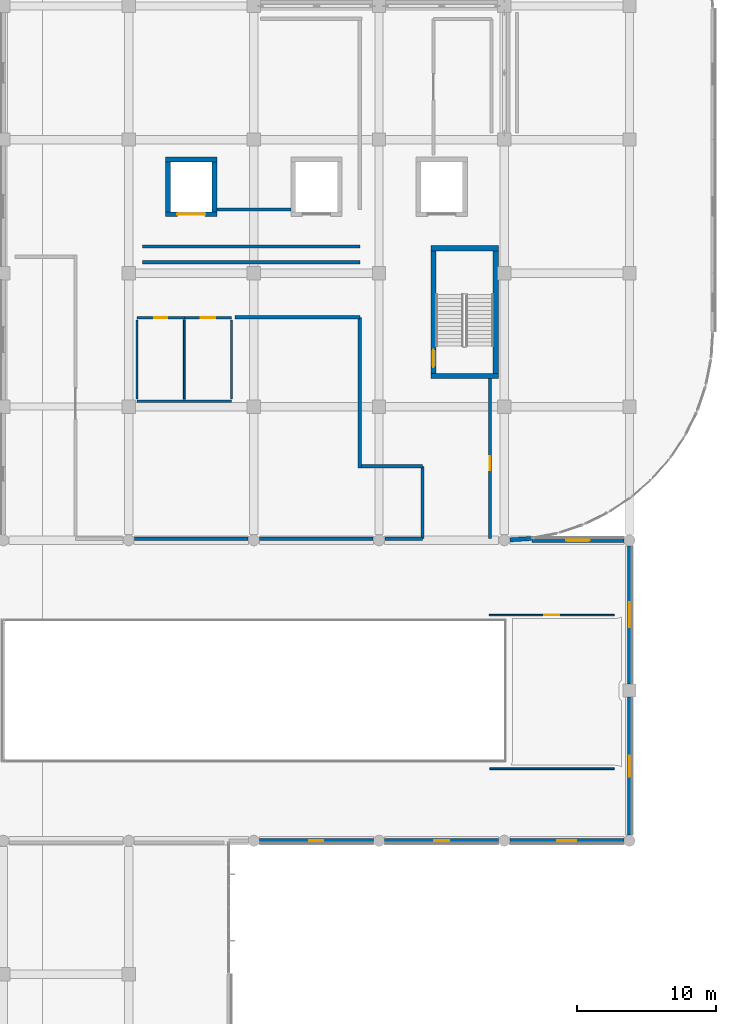
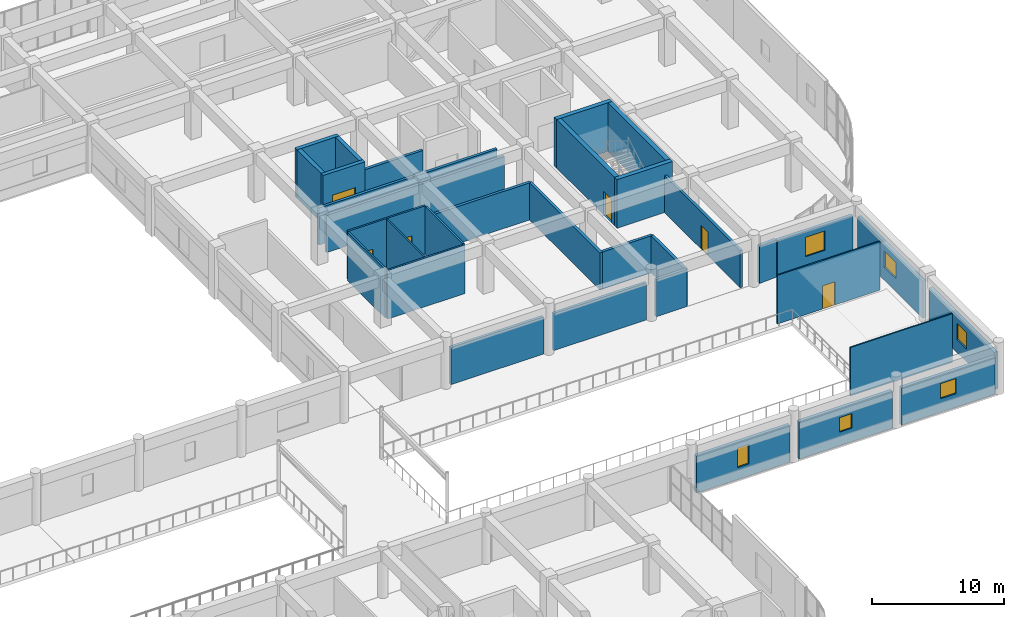
# One storey, part 60 of 86: 34 walls, 6 doors, 6 windows, 12 openings.
"""IFC4 building model written with IfcOpenShell, lengths in metres."""

from ifc_helpers import new_model, si_unit, direction, frame, frame_2d, origin, place, context, subcontext, project, spatial, rectangle, extrude, material, layer, layer_set, type_object, element, fill, save


model = new_model("IFC4")

# Units and contexts
model_context = context("Model", 3, precision=1e-05, world=origin(), true_north=direction((0.0, 1.0)))
body_context = subcontext(model_context, "Body", "Model", "MODEL_VIEW")
ifc_project = project(units=[si_unit("LENGTHUNIT", "METRE"), si_unit("AREAUNIT", "SQUARE_METRE"), si_unit("VOLUMEUNIT", "CUBIC_METRE"), si_unit("PLANEANGLEUNIT", "RADIAN"), si_unit("MASSUNIT", "GRAM", prefix="KILO")], contexts=[model_context])

# Site, building, storey
site_placement = place(None, origin())
site = spatial("IfcSite", under=ifc_project, at=site_placement, CompositionType="ELEMENT")
building_placement = place(site_placement, origin())
building = spatial("IfcBuilding", under=site, at=building_placement, Name="Cendralis Terraced Arcade", CompositionType="ELEMENT")
storey_placement = place(building_placement, frame((0.0, 0.0, 5.39990234375)))
storey = spatial("IfcBuildingStorey", under=building, at=storey_placement, Name="L01", CompositionType="ELEMENT", Elevation=5.39990234375)

# Wall, opening, door
ifc_material_1 = material(Name="Autoclaved aerated concrete blockwork", Category="masonry")
ifc_layer_1 = layer(ifc_material_1, 0.221923828125, Name="WL-ACOU-222")
ifc_layer_set_1 = layer_set([ifc_layer_1], Name="Autoclaved aerated concrete blockwork")
wall_type_1 = type_object("IfcWallType", Name="WL-ACOU-222", PredefinedType="PARTITIONING", material=ifc_layer_set_1)
wall_1_placement = place(storey_placement, frame((156.179931640625, 60.1201171875, 0.0), z_axis=(0.0, 0.0, 1.0), x_axis=(0.0, 1.0, 0.0)))
wall_1 = element("IfcWall", 1, at=wall_1_placement, inside=storey, type_object=wall_type_1, Name="Interior Partition Wall IW-L01-0426", PredefinedType="PARTITIONING", context=body_context, shape_type="SweptSolid", body=[
    extrude(rectangle(XDim=11.5, YDim=0.221923828125, at=frame_2d((5.75, 0.0))), origin(), (0.0, 0.0, 1.0), 3.445068359375),
])
opening_1_placement = place(wall_1_placement, frame((4.919921875, 0.0, 0.0)))
opening_1 = element("IfcOpeningElement", 2, at=opening_1_placement, cuts=wall_1, Name="Opening D-L01-116", PredefinedType="OPENING", context=body_context, shape_type="SweptSolid", body=[
    extrude(rectangle(XDim=1.0, YDim=2.199951171875, at=frame_2d((0.5, 1.10009765625))), frame((0.0, 0.123046875, 0.0), z_axis=(0.0, -1.0, 0.0), x_axis=(1.0, 0.0, 0.0)), (0.0, 0.0, 1.0), 0.245849609375),
])
ifc_material_2 = material(Name="Solid core Andean oak veneer door leaf", Category="aluminium")
door_type_1 = type_object("IfcDoorType", Name="ID-RM-1000x2200", OperationType="NOTDEFINED", PredefinedType="DOOR", material=ifc_material_2)
door_1_placement = place(opening_1_placement, origin())
door_1 = element("IfcDoor", 3, at=door_1_placement, inside=storey, type_object=door_type_1, Name="Buying and Store Management Offices - Logistics Door D-L01-116", OperationType="SINGLE_SWING_LEFT", OverallHeight=2.199951171875, OverallWidth=1.0, PredefinedType="DOOR", context=body_context, shape_type="SweptSolid", body=[
    extrude(rectangle(XDim=1.0, YDim=2.199951171875, at=frame_2d((0.5, 1.10009765625))), frame((0.0, 0.02490234375, 0.0), z_axis=(0.0, -1.0, 0.0), x_axis=(1.0, 0.0, 0.0)), (0.0, 0.0, 1.0), 0.050048828125),
])
fill(opening_1, door_1)

ifc_material_3 = material(Name="Concrete f'c 42 MPa", Category="concrete")
ifc_layer_2 = layer(ifc_material_3, 0.340087890625, Name="WL-CORE-340")
ifc_layer_set_2 = layer_set([ifc_layer_2], Name="Concrete f'c 42 MPa")
wall_type_2 = type_object("IfcWallType", Name="WL-CORE-340", PredefinedType="SHEAR", material=ifc_layer_set_2)
wall_2_placement = place(storey_placement, frame((132.860107421875, 83.429931640625, 0.0), z_axis=(0.0, 0.0, 1.0), x_axis=(1.0, 0.0, 0.0)))
wall_2 = element("IfcWall", 4, at=wall_2_placement, inside=storey, type_object=wall_type_2, Name="Lift GL-01 Reinforced Concrete Shaft Wall (L01)", PredefinedType="SHEAR", context=body_context, shape_type="SweptSolid", body=[
    extrude(rectangle(XDim=3.679931640625, YDim=0.340087890625, at=frame_2d((1.83984375, 0.0))), origin(), (0.0, 0.0, 1.0), 4.505126953125),
])
opening_2_placement = place(wall_2_placement, frame((0.840087890625, 0.0, 0.0)))
opening_2 = element("IfcOpeningElement", 5, at=opening_2_placement, cuts=wall_2, Name="Opening LD-GL-01-L01", PredefinedType="OPENING", context=body_context, shape_type="SweptSolid", body=[
    extrude(rectangle(XDim=2.0, YDim=2.39990234375, at=frame_2d((1.0, 1.199951171875))), frame((0.0, 0.18212890625, 0.0), z_axis=(0.0, -1.0, 0.0), x_axis=(1.0, 0.0, 0.0)), (0.0, 0.0, 1.0), 0.364013671875),
])
ifc_material_4 = material(Name="Anodised aluminium sliding door assembly", Category="aluminium")
door_type_2 = type_object("IfcDoorType", Name="ID-LD-GD-2000x2400", OperationType="DOUBLE_DOOR_SLIDING", PredefinedType="DOOR", material=ifc_material_4)
door_2_placement = place(opening_2_placement, origin())
door_2 = element("IfcDoor", 6, at=door_2_placement, inside=storey, type_object=door_type_2, Name="Lift GL-01 Sliding Landing Door (L01)", OperationType="DOUBLE_DOOR_SLIDING", OverallHeight=2.39990234375, OverallWidth=2.0, PredefinedType="DOOR", context=body_context, shape_type="SweptSolid", body=[
    extrude(rectangle(XDim=2.0, YDim=2.39990234375, at=frame_2d((1.0, 1.199951171875))), frame((0.0, 0.02490234375, 0.0), z_axis=(0.0, -1.0, 0.0), x_axis=(1.0, 0.0, 0.0)), (0.0, 0.0, 1.0), 0.050048828125),
])
fill(opening_2, door_2)

# Walls
wall_3_placement = place(storey_placement, frame((132.860107421875, 87.3701171875, 0.0), z_axis=(0.0, 0.0, 1.0), x_axis=(1.0, 0.0, 0.0)))
element("IfcWall", 7, at=wall_3_placement, inside=storey, type_object=wall_type_2, Name="Lift GL-01 Reinforced Concrete Shaft Wall (L01)", PredefinedType="SHEAR", context=body_context, shape_type="SweptSolid", body=[
    extrude(rectangle(XDim=3.679931640625, YDim=0.340087890625, at=frame_2d((1.83984375, 0.0))), origin(), (0.0, 0.0, 1.0), 4.505126953125),
])
for number, where, z_axis, x_axis, name in (
    (8, (133.030029296875, 83.60009765625, 0.0), (0.0, 0.0, 1.0), (0.0, 1.0, 0.0), "Lift GL-01 Reinforced Concrete Shaft Wall (L01)"),
    (9, (136.3701171875, 83.60009765625, 0.0), (0.0, 0.0, 1.0), (0.0, 1.0, 0.0), "Lift GL-01 Reinforced Concrete Shaft Wall (L01)"),
):
    element("IfcWall", number, at=place(storey_placement, frame(where, z_axis=z_axis, x_axis=x_axis)), inside=storey, type_object=wall_type_2, Name=name, PredefinedType="SHEAR", context=body_context, shape_type="SweptSolid", body=[
        extrude(rectangle(XDim=3.599853515625, YDim=0.340087890625, at=frame_2d((1.7998046875, 0.0))), origin(), (0.0, 0.0, 1.0), 4.505126953125),
    ])
ifc_layer_3 = layer(ifc_material_3, 0.3798828125, Name="WL-CORE-380")
ifc_layer_set_3 = layer_set([ifc_layer_3], Name="Concrete f'c 42 MPa")
wall_type_3 = type_object("IfcWallType", Name="WL-CORE-380", PredefinedType="SHEAR", material=ifc_layer_set_3)
for number, where, z_axis, x_axis, name in (
    (10, (151.919921875, 71.81005859375, 0.0), (0.0, 0.0, 1.0), (1.0, 0.0, 0.0), "Stair Core Reinforced Concrete Shear Wall SW-ST-06-L01-S"),
    (11, (151.919921875, 80.989990234375, 0.0), (0.0, 0.0, 1.0), (1.0, 0.0, 0.0), "Stair Core Reinforced Concrete Shear Wall SW-ST-06-L01-N"),
):
    element("IfcWall", number, at=place(storey_placement, frame(where, z_axis=z_axis, x_axis=x_axis)), inside=storey, type_object=wall_type_3, Name=name, PredefinedType="SHEAR", context=body_context, shape_type="SweptSolid", body=[
        extrude(rectangle(XDim=4.860107421875, YDim=0.3798828125, at=frame_2d((2.43017578125, 0.0))), origin(), (0.0, 0.0, 1.0), 4.505126953125),
    ])
wall_4_placement = place(storey_placement, frame((156.590087890625, 72.0, 0.0), z_axis=(0.0, 0.0, 1.0), x_axis=(0.0, 1.0, 0.0)))
element("IfcWall", 12, at=wall_4_placement, inside=storey, type_object=wall_type_3, Name="Stair Core Reinforced Concrete Shear Wall SW-ST-06-L01-E", PredefinedType="SHEAR", context=body_context, shape_type="SweptSolid", body=[
    extrude(rectangle(XDim=8.800048828125, YDim=0.3798828125, at=frame_2d((4.39990234375, 0.0))), origin(), (0.0, 0.0, 1.0), 4.505126953125),
])

# Wall, opening, door
wall_5_placement = place(storey_placement, frame((152.110107421875, 72.0, 0.0), z_axis=(0.0, 0.0, 1.0), x_axis=(0.0, 1.0, 0.0)))
wall_5 = element("IfcWall", 13, at=wall_5_placement, inside=storey, type_object=wall_type_3, Name="Stair Core Reinforced Concrete Shear Wall SW-ST-06-L01-W", PredefinedType="SHEAR", context=body_context, shape_type="SweptSolid", body=[
    extrude(rectangle(XDim=8.800048828125, YDim=0.3798828125, at=frame_2d((4.39990234375, 0.0))), origin(), (0.0, 0.0, 1.0), 4.505126953125),
])
opening_3_placement = place(wall_5_placement, frame((0.449951171875, 0.0, 0.0)))
opening_3 = element("IfcOpeningElement", 14, at=opening_3_placement, cuts=wall_5, Name="Opening D-ST-06-L01", PredefinedType="OPENING", context=body_context, shape_type="SweptSolid", body=[
    extrude(rectangle(XDim=1.25, YDim=2.199951171875, at=frame_2d((0.625, 1.10009765625))), frame((0.0, 0.201904296875, 0.0), z_axis=(0.0, -1.0, 0.0), x_axis=(1.0, 0.0, 0.0)), (0.0, 0.0, 1.0), 0.40380859375),
])
ifc_material_5 = material(Name="Galvanised fire-rated steel door assembly", Category="steel")
door_type_3 = type_object("IfcDoorType", Name="ID-ST-1250x2200", OperationType="NOTDEFINED", PredefinedType="DOOR", material=ifc_material_5)
door_3_placement = place(opening_3_placement, frame((1.25, 0.0, 0.0), z_axis=(0.0, 0.0, 1.0), x_axis=(-1.0, 0.0, 0.0)))
door_3 = element("IfcDoor", 15, at=door_3_placement, inside=storey, type_object=door_type_3, Name="Protected Stair ST-06 Fire Door (L01)", OperationType="SINGLE_SWING_LEFT", OverallHeight=2.199951171875, OverallWidth=1.25, PredefinedType="DOOR", context=body_context, shape_type="SweptSolid", body=[
    extrude(rectangle(XDim=1.25, YDim=2.199951171875, at=frame_2d((0.625, 1.10009765625))), frame((0.0, 0.02490234375, 0.0), z_axis=(0.0, -1.0, 0.0), x_axis=(1.0, 0.0, 0.0)), (0.0, 0.0, 1.0), 0.050048828125),
])
fill(opening_3, door_3)

# Wall
ifc_material_6 = material(Name="Precast concrete f'c 40 MPa", Category="concrete")
ifc_layer_4 = layer(ifc_material_6, 0.300048828125, Name="WL-EXT-GRC-300")
ifc_layer_set_4 = layer_set([ifc_layer_4], Name="Precast concrete f'c 40 MPa")
wall_type_4 = type_object("IfcWallType", Name="WL-EXT-GRC-300", PredefinedType="SOLIDWALL", material=ifc_layer_set_4)
wall_6_placement = place(storey_placement, frame((159.157958984375, 60.12841796875, 0.0), z_axis=(0.0, 0.0, 1.0), x_axis=(-0.997851341805, -0.065518697006, 0.0)))
element("IfcWall", 16, at=wall_6_placement, inside=storey, type_object=wall_type_4, Name="Exterior Architectural Wall EW-L01-0109", PredefinedType="SOLIDWALL", context=body_context, shape_type="SweptSolid", body=[
    extrude(rectangle(XDim=1.5390625, YDim=0.300048828125, at=frame_2d((0.76953125, 0.0))), origin(), (0.0, 0.0, 1.0), 3.445068359375),
])

# Wall, opening, window
wall_7_placement = place(storey_placement, frame((159.187744140625, 60.0, 0.0), z_axis=(0.0, 0.0, 1.0), x_axis=(1.0, 0.0, 0.0)))
wall_7 = element("IfcWall", 17, at=wall_7_placement, inside=storey, type_object=wall_type_4, Name="Exterior Architectural Wall EW-L01-0110", PredefinedType="SOLIDWALL", context=body_context, shape_type="SweptSolid", body=[
    extrude(rectangle(XDim=6.6142578125, YDim=0.300048828125, at=frame_2d((3.30712890625, 0.0))), origin(), (0.0, 0.0, 1.0), 3.445068359375),
])
opening_4_placement = place(wall_7_placement, frame((2.45703125, 0.0, 1.10009765625)))
opening_4 = element("IfcOpeningElement", 18, at=opening_4_placement, cuts=wall_7, Name="Opening W-14", PredefinedType="OPENING", context=body_context, shape_type="SweptSolid", body=[
    extrude(rectangle(XDim=1.699951171875, YDim=1.800048828125, at=frame_2d((0.85009765625, 0.89990234375))), frame((0.0, 0.162109375, 0.0), z_axis=(0.0, -1.0, 0.0), x_axis=(1.0, 0.0, 0.0)), (0.0, 0.0, 1.0), 0.323974609375),
])
ifc_material_7 = material(Name="Tempered solar control laminated glass", Category="glass")
window_type_1 = type_object("IfcWindowType", Name="WN-F2-1700x1800", PartitioningType="SINGLE_PANEL", PredefinedType="WINDOW", material=ifc_material_7)
window_1_placement = place(opening_4_placement, origin())
window_1 = element("IfcWindow", 19, at=window_1_placement, inside=storey, type_object=window_type_1, Name="Exterior Solar-Control Window WN-L01-0064", OverallHeight=1.800048828125, OverallWidth=1.699951171875, PartitioningType="SINGLE_PANEL", PredefinedType="WINDOW", context=body_context, shape_type="SweptSolid", body=[
    extrude(rectangle(XDim=1.699951171875, YDim=1.800048828125, at=frame_2d((0.85009765625, 0.89990234375))), frame((0.0, 0.030029296875, 0.0), z_axis=(0.0, -1.0, 0.0), x_axis=(1.0, 0.0, 0.0)), (0.0, 0.0, 1.0), 0.06005859375),
])
fill(opening_4, window_1)

wall_8_placement = place(storey_placement, frame((166.199951171875, 59.60205078125, 0.0), z_axis=(0.0, 0.0, 1.0), x_axis=(0.0, -1.0, 0.0)))
wall_8 = element("IfcWall", 20, at=wall_8_placement, inside=storey, type_object=wall_type_4, Name="Exterior Architectural Wall EW-L01-0111", PredefinedType="SOLIDWALL", context=body_context, shape_type="SweptSolid", body=[
    extrude(rectangle(XDim=9.928955078125, YDim=0.300048828125, at=frame_2d((4.96435546875, 0.0))), origin(), (0.0, 0.0, 1.0), 3.445068359375),
])
opening_5_placement = place(wall_8_placement, frame((4.064453125, 0.0, 1.199951171875)))
opening_5 = element("IfcOpeningElement", 21, at=opening_5_placement, cuts=wall_8, Name="Opening W-19", PredefinedType="OPENING", context=body_context, shape_type="SweptSolid", body=[
    extrude(rectangle(XDim=1.800048828125, YDim=1.5, at=frame_2d((0.89990234375, 0.75))), frame((0.0, 0.162109375, 0.0), z_axis=(0.0, -1.0, 0.0), x_axis=(1.0, 0.0, 0.0)), (0.0, 0.0, 1.0), 0.323974609375),
])
window_type_2 = type_object("IfcWindowType", Name="WN-BOH-1800x1500", PartitioningType="SINGLE_PANEL", PredefinedType="WINDOW", material=ifc_material_7)
window_2_placement = place(opening_5_placement, origin())
window_2 = element("IfcWindow", 22, at=window_2_placement, inside=storey, type_object=window_type_2, Name="Exterior Solar-Control Window WN-L01-0065", OverallHeight=1.5, OverallWidth=1.800048828125, PartitioningType="SINGLE_PANEL", PredefinedType="WINDOW", context=body_context, shape_type="SweptSolid", body=[
    extrude(rectangle(XDim=1.800048828125, YDim=1.5, at=frame_2d((0.89990234375, 0.75))), frame((0.0, 0.030029296875, 0.0), z_axis=(0.0, -1.0, 0.0), x_axis=(1.0, 0.0, 0.0)), (0.0, 0.0, 1.0), 0.06005859375),
])
fill(opening_5, window_2)

wall_9_placement = place(storey_placement, frame((166.199951171875, 48.72705078125, 0.0), z_axis=(0.0, 0.0, 1.0), x_axis=(0.0, -1.0, 0.0)))
wall_9 = element("IfcWall", 23, at=wall_9_placement, inside=storey, type_object=wall_type_4, Name="Exterior Architectural Wall EW-L01-0112", PredefinedType="SOLIDWALL", context=body_context, shape_type="SweptSolid", body=[
    extrude(rectangle(XDim=9.928955078125, YDim=0.300048828125, at=frame_2d((4.96435546875, 0.0))), origin(), (0.0, 0.0, 1.0), 3.445068359375),
])
opening_6_placement = place(wall_9_placement, frame((4.214599609375, 0.0, 1.199951171875)))
opening_6 = element("IfcOpeningElement", 24, at=opening_6_placement, cuts=wall_9, Name="Opening W-20", PredefinedType="OPENING", context=body_context, shape_type="SweptSolid", body=[
    extrude(rectangle(XDim=1.5, YDim=1.5, at=frame_2d((0.75, 0.75))), frame((0.0, 0.162109375, 0.0), z_axis=(0.0, -1.0, 0.0), x_axis=(1.0, 0.0, 0.0)), (0.0, 0.0, 1.0), 0.323974609375),
])
window_type_3 = type_object("IfcWindowType", Name="WN-BOH-1500x1500", PartitioningType="SINGLE_PANEL", PredefinedType="WINDOW", material=ifc_material_7)
window_3_placement = place(opening_6_placement, origin())
window_3 = element("IfcWindow", 25, at=window_3_placement, inside=storey, type_object=window_type_3, Name="Exterior Solar-Control Window WN-L01-0066", OverallHeight=1.5, OverallWidth=1.5, PartitioningType="SINGLE_PANEL", PredefinedType="WINDOW", context=body_context, shape_type="SweptSolid", body=[
    extrude(rectangle(XDim=1.5, YDim=1.5, at=frame_2d((0.75, 0.75))), frame((0.0, 0.030029296875, 0.0), z_axis=(0.0, -1.0, 0.0), x_axis=(1.0, 0.0, 0.0)), (0.0, 0.0, 1.0), 0.06005859375),
])
fill(opening_6, window_3)

wall_10_placement = place(storey_placement, frame((165.802001953125, 38.39990234375, 0.0), z_axis=(0.0, 0.0, 1.0), x_axis=(-1.0, 0.0, 0.0)))
wall_10 = element("IfcWall", 26, at=wall_10_placement, inside=storey, type_object=wall_type_4, Name="Exterior Architectural Wall EW-L01-0113", PredefinedType="SOLIDWALL", context=body_context, shape_type="SweptSolid", body=[
    extrude(rectangle(XDim=8.2041015625, YDim=0.300048828125, at=frame_2d((4.10205078125, 0.0))), origin(), (0.0, 0.0, 1.0), 3.445068359375),
])
opening_7_placement = place(wall_10_placement, frame((3.427001953125, 0.0, 1.25)))
opening_7 = element("IfcOpeningElement", 27, at=opening_7_placement, cuts=wall_10, Name="Opening W-21", PredefinedType="OPENING", context=body_context, shape_type="SweptSolid", body=[
    extrude(rectangle(XDim=1.35009765625, YDim=1.39990234375, at=frame_2d((0.675048828125, 0.699951171875))), frame((0.0, 0.162109375, 0.0), z_axis=(0.0, -1.0, 0.0), x_axis=(1.0, 0.0, 0.0)), (0.0, 0.0, 1.0), 0.323974609375),
])
window_type_4 = type_object("IfcWindowType", Name="WN-BOH-1350x1400", PartitioningType="SINGLE_PANEL", PredefinedType="WINDOW", material=ifc_material_7)
window_4_placement = place(opening_7_placement, origin())
window_4 = element("IfcWindow", 28, at=window_4_placement, inside=storey, type_object=window_type_4, Name="Exterior Solar-Control Window WN-L01-0067", OverallHeight=1.39990234375, OverallWidth=1.35009765625, PartitioningType="SINGLE_PANEL", PredefinedType="WINDOW", context=body_context, shape_type="SweptSolid", body=[
    extrude(rectangle(XDim=1.35009765625, YDim=1.39990234375, at=frame_2d((0.675048828125, 0.699951171875))), frame((0.0, 0.030029296875, 0.0), z_axis=(0.0, -1.0, 0.0), x_axis=(1.0, 0.0, 0.0)), (0.0, 0.0, 1.0), 0.06005859375),
])
fill(opening_7, window_4)

wall_11_placement = place(storey_placement, frame((156.802001953125, 38.39990234375, 0.0), z_axis=(0.0, 0.0, 1.0), x_axis=(-1.0, 0.0, 0.0)))
wall_11 = element("IfcWall", 29, at=wall_11_placement, inside=storey, type_object=wall_type_4, Name="Exterior Architectural Wall EW-L01-0114", PredefinedType="SOLIDWALL", context=body_context, shape_type="SweptSolid", body=[
    extrude(rectangle(XDim=8.2041015625, YDim=0.300048828125, at=frame_2d((4.10205078125, 0.0))), origin(), (0.0, 0.0, 1.0), 3.445068359375),
])
opening_8_placement = place(wall_11_placement, frame((3.552001953125, 0.0, 1.25)))
opening_8 = element("IfcOpeningElement", 30, at=opening_8_placement, cuts=wall_11, Name="Opening W-22", PredefinedType="OPENING", context=body_context, shape_type="SweptSolid", body=[
    extrude(rectangle(XDim=1.10009765625, YDim=1.35009765625, at=frame_2d((0.550048828125, 0.675048828125))), frame((0.0, 0.162109375, 0.0), z_axis=(0.0, -1.0, 0.0), x_axis=(1.0, 0.0, 0.0)), (0.0, 0.0, 1.0), 0.323974609375),
])
window_type_5 = type_object("IfcWindowType", Name="WN-BOH-1100x1350", PartitioningType="SINGLE_PANEL", PredefinedType="WINDOW", material=ifc_material_7)
window_5_placement = place(opening_8_placement, origin())
window_5 = element("IfcWindow", 31, at=window_5_placement, inside=storey, type_object=window_type_5, Name="Exterior Solar-Control Window WN-L01-0068", OverallHeight=1.35009765625, OverallWidth=1.10009765625, PartitioningType="SINGLE_PANEL", PredefinedType="WINDOW", context=body_context, shape_type="SweptSolid", body=[
    extrude(rectangle(XDim=1.10009765625, YDim=1.35009765625, at=frame_2d((0.550048828125, 0.675048828125))), frame((0.0, 0.030029296875, 0.0), z_axis=(0.0, -1.0, 0.0), x_axis=(1.0, 0.0, 0.0)), (0.0, 0.0, 1.0), 0.06005859375),
])
fill(opening_8, window_5)

wall_12_placement = place(storey_placement, frame((147.802001953125, 38.39990234375, 0.0), z_axis=(0.0, 0.0, 1.0), x_axis=(-1.0, 0.0, 0.0)))
wall_12 = element("IfcWall", 32, at=wall_12_placement, inside=storey, type_object=wall_type_4, Name="Exterior Architectural Wall EW-L01-0115", PredefinedType="SOLIDWALL", context=body_context, shape_type="SweptSolid", body=[
    extrude(rectangle(XDim=8.2041015625, YDim=0.300048828125, at=frame_2d((4.10205078125, 0.0))), origin(), (0.0, 0.0, 1.0), 3.445068359375),
])
opening_9_placement = place(wall_12_placement, frame((3.60205078125, 0.0, 1.10009765625)))
opening_9 = element("IfcOpeningElement", 33, at=opening_9_placement, cuts=wall_12, Name="Opening W-23", PredefinedType="OPENING", context=body_context, shape_type="SweptSolid", body=[
    extrude(rectangle(XDim=1.0, YDim=1.800048828125, at=frame_2d((0.5, 0.89990234375))), frame((0.0, 0.162109375, 0.0), z_axis=(0.0, -1.0, 0.0), x_axis=(1.0, 0.0, 0.0)), (0.0, 0.0, 1.0), 0.323974609375),
])
window_type_6 = type_object("IfcWindowType", Name="WN-ST-1000x1800", PartitioningType="SINGLE_PANEL", PredefinedType="WINDOW", material=ifc_material_7)
window_6_placement = place(opening_9_placement, origin())
window_6 = element("IfcWindow", 34, at=window_6_placement, inside=storey, type_object=window_type_6, Name="Exterior Solar-Control Window WN-L01-0069", OverallHeight=1.800048828125, OverallWidth=1.0, PartitioningType="SINGLE_PANEL", PredefinedType="WINDOW", context=body_context, shape_type="SweptSolid", body=[
    extrude(rectangle(XDim=1.0, YDim=1.800048828125, at=frame_2d((0.5, 0.89990234375))), frame((0.0, 0.030029296875, 0.0), z_axis=(0.0, -1.0, 0.0), x_axis=(1.0, 0.0, 0.0)), (0.0, 0.0, 1.0), 0.06005859375),
])
fill(opening_9, window_6)

# Walls
ifc_layer_5 = layer(ifc_material_1, 0.241943359375, Name="WL-FIRE-242")
ifc_layer_set_5 = layer_set([ifc_layer_5], Name="Autoclaved aerated concrete blockwork")
wall_type_5 = type_object("IfcWallType", Name="WL-FIRE-242", PredefinedType="PARTITIONING", material=ifc_layer_set_5)
for number, where, z_axis, x_axis, name in (
    (35, (131.179931640625, 81.1201171875, 0.0), (0.0, 0.0, 1.0), (1.0, 0.0, 0.0), "Interior Partition Wall IW-L01-0411"),
    (36, (146.820068359375, 79.97998046875, 0.0), (0.0, 0.0, 1.0), (-1.0, 0.0, 0.0), "Interior Partition Wall IW-L01-0412"),
):
    element("IfcWall", number, at=place(storey_placement, frame(where, z_axis=z_axis, x_axis=x_axis)), inside=storey, type_object=wall_type_5, Name=name, PredefinedType="PARTITIONING", context=body_context, shape_type="SweptSolid", body=[
        extrude(rectangle(XDim=15.64013671875, YDim=0.241943359375, at=frame_2d((7.820068359375, 0.0))), origin(), (0.0, 0.0, 1.0), 3.445068359375),
    ])
wall_13_placement = place(storey_placement, frame((146.820068359375, 76.02001953125, 0.0), z_axis=(0.0, 0.0, 1.0), x_axis=(0.0, -1.0, 0.0)))
element("IfcWall", 37, at=wall_13_placement, inside=storey, type_object=wall_type_5, Name="Interior Partition Wall IW-L01-0414", PredefinedType="PARTITIONING", context=body_context, shape_type="SweptSolid", body=[
    extrude(rectangle(XDim=10.821044921875, YDim=0.241943359375, at=frame_2d((5.41064453125, 0.0))), origin(), (0.0, 0.0, 1.0), 3.445068359375),
])
wall_14_placement = place(storey_placement, frame((137.85888671875, 76.02001953125, 0.0), z_axis=(0.0, 0.0, 1.0), x_axis=(1.0, 0.0, 0.0)))
element("IfcWall", 38, at=wall_14_placement, inside=storey, type_object=wall_type_5, Name="Interior Partition Wall IW-L01-0415", PredefinedType="PARTITIONING", context=body_context, shape_type="SweptSolid", body=[
    extrude(rectangle(XDim=8.961181640625, YDim=0.241943359375, at=frame_2d((4.48046875, 0.0))), origin(), (0.0, 0.0, 1.0), 3.445068359375),
])
wall_15_placement = place(storey_placement, frame((151.320068359375, 65.320068359375, 0.0), z_axis=(0.0, 0.0, 1.0), x_axis=(0.0, -1.0, 0.0)))
element("IfcWall", 39, at=wall_15_placement, inside=storey, type_object=wall_type_5, Name="Interior Partition Wall IW-L01-0418", PredefinedType="PARTITIONING", context=body_context, shape_type="SweptSolid", body=[
    extrude(rectangle(XDim=5.199951171875, YDim=0.241943359375, at=frame_2d((2.60009765625, 0.0))), origin(), (0.0, 0.0, 1.0), 3.445068359375),
])
wall_16_placement = place(storey_placement, frame((141.860107421875, 83.780029296875, 0.0), z_axis=(0.0, 0.0, 1.0), x_axis=(-1.0, 0.0, 0.0)))
element("IfcWall", 40, at=wall_16_placement, inside=storey, type_object=wall_type_5, Name="Interior Partition Wall IW-L01-0419", PredefinedType="PARTITIONING", context=body_context, shape_type="SweptSolid", body=[
    extrude(rectangle(XDim=5.320068359375, YDim=0.241943359375, at=frame_2d((2.66015625, 0.0))), origin(), (0.0, 0.0, 1.0), 3.445068359375),
])
wall_17_placement = place(storey_placement, frame((146.94091796875, 65.320068359375, 0.0), z_axis=(0.0, 0.0, 1.0), x_axis=(1.0, 0.0, 0.0)))
element("IfcWall", 41, at=wall_17_placement, inside=storey, type_object=wall_type_5, Name="Interior Partition Wall IW-L01-0420", PredefinedType="PARTITIONING", context=body_context, shape_type="SweptSolid", body=[
    extrude(rectangle(XDim=4.379150390625, YDim=0.241943359375, at=frame_2d((2.189453125, 0.0))), origin(), (0.0, 0.0, 1.0), 3.445068359375),
])
wall_18_placement = place(storey_placement, frame((151.320068359375, 60.1201171875, 0.0), z_axis=(0.0, 0.0, 1.0), x_axis=(-1.0, 0.0, 0.0)))
element("IfcWall", 42, at=wall_18_placement, inside=storey, type_object=wall_type_5, Name="Interior Partition Wall IW-L01-0423", PredefinedType="PARTITIONING", context=body_context, shape_type="SweptSolid", body=[
    extrude(rectangle(XDim=2.699951171875, YDim=0.241943359375, at=frame_2d((1.35009765625, 0.0))), origin(), (0.0, 0.0, 1.0), 3.445068359375),
])
for number, where, z_axis, x_axis, name in (
    (43, (138.780029296875, 60.1201171875, 0.0), (0.0, 0.0, 1.0), (-1.0, 0.0, 0.0), "Interior Partition Wall IW-L01-0424"),
    (44, (147.780029296875, 60.1201171875, 0.0), (0.0, 0.0, 1.0), (-1.0, 0.0, 0.0), "Interior Partition Wall IW-L01-0425"),
):
    element("IfcWall", number, at=place(storey_placement, frame(where, z_axis=z_axis, x_axis=x_axis)), inside=storey, type_object=wall_type_5, Name=name, PredefinedType="PARTITIONING", context=body_context, shape_type="SweptSolid", body=[
        extrude(rectangle(XDim=8.159912109375, YDim=0.241943359375, at=frame_2d((4.080078125, 0.0))), origin(), (0.0, 0.0, 1.0), 3.445068359375),
    ])
ifc_material_8 = material(Name="Gypsum plasterboard acoustic partition", Category="concrete")
ifc_layer_6 = layer(ifc_material_8, 0.114990234375, Name="WL-PART-115")
ifc_layer_set_6 = layer_set([ifc_layer_6], Name="Gypsum plasterboard acoustic partition")
wall_type_6 = type_object("IfcWallType", Name="WL-PART-115", PredefinedType="PARTITIONING", material=ifc_layer_set_6)
wall_19_placement = place(storey_placement, frame((165.1201171875, 43.580078125, 0.0), z_axis=(0.0, 0.0, 1.0), x_axis=(-1.0, 0.0, 0.0)))
element("IfcWall", 45, at=wall_19_placement, inside=storey, type_object=wall_type_6, Name="Interior Partition Wall IW-L01-0356", PredefinedType="PARTITIONING", context=body_context, shape_type="SweptSolid", body=[
    extrude(rectangle(XDim=8.968017578125, YDim=0.114990234375, at=frame_2d((4.48388671875, 0.0))), origin(), (0.0, 0.0, 1.0), 4.505126953125),
])

# Wall, opening, door
ifc_layer_7 = layer(ifc_material_8, 0.117919921875, Name="WL-PART-118")
ifc_layer_set_7 = layer_set([ifc_layer_7], Name="Gypsum plasterboard acoustic partition")
wall_type_7 = type_object("IfcWallType", Name="WL-PART-118", PredefinedType="PARTITIONING", material=ifc_layer_set_7)
wall_20_placement = place(storey_placement, frame((156.114501953125, 54.6201171875, 0.0), z_axis=(0.0, 0.0, 1.0), x_axis=(1.0, 0.0, 0.0)))
wall_20 = element("IfcWall", 46, at=wall_20_placement, inside=storey, type_object=wall_type_7, Name="Interior Partition Wall IW-L01-0355", PredefinedType="PARTITIONING", context=body_context, shape_type="SweptSolid", body=[
    extrude(rectangle(XDim=9.005615234375, YDim=0.117919921875, at=frame_2d((4.5029296875, 0.0))), origin(), (0.0, 0.0, 1.0), 4.505126953125),
])
opening_10_placement = place(wall_20_placement, frame((3.952880859375, 0.0, 0.0)))
opening_10 = element("IfcOpeningElement", 47, at=opening_10_placement, cuts=wall_20, Name="Opening D-L01-100", PredefinedType="OPENING", context=body_context, shape_type="SweptSolid", body=[
    extrude(rectangle(XDim=1.10009765625, YDim=2.14990234375, at=frame_2d((0.550048828125, 1.074951171875))), frame((0.0, 0.07080078125, 0.0), z_axis=(0.0, -1.0, 0.0), x_axis=(1.0, 0.0, 0.0)), (0.0, 0.0, 1.0), 0.141845703125),
])
door_type_4 = type_object("IfcDoorType", Name="ID-RM-1100x2150", OperationType="NOTDEFINED", PredefinedType="DOOR", material=ifc_material_2)
door_4_placement = place(opening_10_placement, origin())
door_4 = element("IfcDoor", 48, at=door_4_placement, inside=storey, type_object=door_type_4, Name="Click-and-Collect and Concierge Hub Door D-L01-100", OperationType="SINGLE_SWING_RIGHT", OverallHeight=2.14990234375, OverallWidth=1.10009765625, PredefinedType="DOOR", context=body_context, shape_type="SweptSolid", body=[
    extrude(rectangle(XDim=1.10009765625, YDim=2.14990234375, at=frame_2d((0.550048828125, 1.074951171875))), frame((0.0, 0.02490234375, 0.0), z_axis=(0.0, -1.0, 0.0), x_axis=(1.0, 0.0, 0.0)), (0.0, 0.0, 1.0), 0.050048828125),
])
fill(opening_10, door_4)

# Walls
ifc_layer_8 = layer(ifc_material_8, 0.1298828125, Name="WL-PART-130")
ifc_layer_set_8 = layer_set([ifc_layer_8], Name="Gypsum plasterboard acoustic partition")
wall_type_8 = type_object("IfcWallType", Name="WL-PART-130", PredefinedType="PARTITIONING", material=ifc_layer_set_8)
wall_21_placement = place(storey_placement, frame((134.199951171875, 70.14990234375, 0.0), z_axis=(0.0, 0.0, 1.0), x_axis=(0.0, 1.0, 0.0)))
element("IfcWall", 49, at=wall_21_placement, inside=storey, type_object=wall_type_8, Name="Restroom Enclosure Partition IW-WC-L01-0033", PredefinedType="PARTITIONING", context=body_context, shape_type="SweptSolid", body=[
    extrude(rectangle(XDim=5.7001953125, YDim=0.1298828125, at=frame_2d((2.85009765625, 0.0))), origin(), (0.0, 0.0, 1.0), 4.505126953125),
])
ifc_layer_9 = layer(ifc_material_8, 0.159912109375, Name="WL-PART-160")
ifc_layer_set_9 = layer_set([ifc_layer_9], Name="Gypsum plasterboard acoustic partition")
wall_type_9 = type_object("IfcWallType", Name="WL-PART-160", PredefinedType="PARTITIONING", material=ifc_layer_set_9)
wall_22_placement = place(storey_placement, frame((130.800048828125, 70.0, 0.0), z_axis=(0.0, 0.0, 1.0), x_axis=(1.0, 0.0, 0.0)))
element("IfcWall", 50, at=wall_22_placement, inside=storey, type_object=wall_type_9, Name="Restroom Enclosure Partition IW-WC-L01-0031", PredefinedType="PARTITIONING", context=body_context, shape_type="SweptSolid", body=[
    extrude(rectangle(XDim=6.800048828125, YDim=0.159912109375, at=frame_2d((3.39990234375, 0.0))), origin(), (0.0, 0.0, 1.0), 4.505126953125),
])
for number, where, z_axis, x_axis, name in (
    (51, (130.800048828125, 70.14990234375, 0.0), (0.0, 0.0, 1.0), (0.0, 1.0, 0.0), "Restroom Enclosure Partition IW-WC-L01-0032"),
    (52, (137.60009765625, 70.14990234375, 0.0), (0.0, 0.0, 1.0), (0.0, 1.0, 0.0), "Restroom Enclosure Partition IW-WC-L01-0034"),
):
    element("IfcWall", number, at=place(storey_placement, frame(where, z_axis=z_axis, x_axis=x_axis)), inside=storey, type_object=wall_type_9, Name=name, PredefinedType="PARTITIONING", context=body_context, shape_type="SweptSolid", body=[
        extrude(rectangle(XDim=5.7001953125, YDim=0.159912109375, at=frame_2d((2.85009765625, 0.0))), origin(), (0.0, 0.0, 1.0), 4.505126953125),
    ])

# Wall, opening, door
wall_23_placement = place(storey_placement, frame((130.800048828125, 76.0, 0.0), z_axis=(0.0, 0.0, 1.0), x_axis=(1.0, 0.0, 0.0)))
wall_23 = element("IfcWall", 53, at=wall_23_placement, inside=storey, type_object=wall_type_9, Name="Restroom Enclosure Partition IW-WC-L01-0035", PredefinedType="PARTITIONING", context=body_context, shape_type="SweptSolid", body=[
    extrude(rectangle(XDim=3.39990234375, YDim=0.159912109375, at=frame_2d((1.699951171875, 0.0))), origin(), (0.0, 0.0, 1.0), 4.505126953125),
])
opening_11_placement = place(wall_23_placement, frame((1.22509765625, 0.0, 0.0)))
opening_11 = element("IfcOpeningElement", 54, at=opening_11_placement, cuts=wall_23, Name="Opening D-WC-L01-012", PredefinedType="OPENING", context=body_context, shape_type="SweptSolid", body=[
    extrude(rectangle(XDim=0.949951171875, YDim=2.080078125, at=frame_2d((0.47509765625, 1.0400390625))), frame((0.0, 0.091796875, 0.0), z_axis=(0.0, -1.0, 0.0), x_axis=(1.0, 0.0, 0.0)), (0.0, 0.0, 1.0), 0.183837890625),
])
door_type_5 = type_object("IfcDoorType", Name="ID-WC-0950x2080", OperationType="NOTDEFINED", PredefinedType="DOOR", material=ifc_material_2)
door_5_placement = place(opening_11_placement, origin())
door_5 = element("IfcDoor", 55, at=door_5_placement, inside=storey, type_object=door_type_5, Name="East Restroom Door (L01)", OperationType="SINGLE_SWING_LEFT", OverallHeight=2.080078125, OverallWidth=0.949951171875, PredefinedType="DOOR", context=body_context, shape_type="SweptSolid", body=[
    extrude(rectangle(XDim=0.949951171875, YDim=2.080078125, at=frame_2d((0.47509765625, 1.0400390625))), frame((0.0, 0.02490234375, 0.0), z_axis=(0.0, -1.0, 0.0), x_axis=(1.0, 0.0, 0.0)), (0.0, 0.0, 1.0), 0.050048828125),
])
fill(opening_11, door_5)

wall_24_placement = place(storey_placement, frame((134.199951171875, 76.0, 0.0), z_axis=(0.0, 0.0, 1.0), x_axis=(1.0, 0.0, 0.0)))
wall_24 = element("IfcWall", 56, at=wall_24_placement, inside=storey, type_object=wall_type_9, Name="Restroom Enclosure Partition IW-WC-L01-0036", PredefinedType="PARTITIONING", context=body_context, shape_type="SweptSolid", body=[
    extrude(rectangle(XDim=3.400146484375, YDim=0.159912109375, at=frame_2d((1.7001953125, 0.0))), origin(), (0.0, 0.0, 1.0), 4.505126953125),
])
opening_12_placement = place(wall_24_placement, frame((1.18994140625, 0.0, 0.0)))
opening_12 = element("IfcOpeningElement", 57, at=opening_12_placement, cuts=wall_24, Name="Opening D-WC-L01-013", PredefinedType="OPENING", context=body_context, shape_type="SweptSolid", body=[
    extrude(rectangle(XDim=1.02001953125, YDim=2.1201171875, at=frame_2d((0.510009765625, 1.06005859375))), frame((0.0, 0.091796875, 0.0), z_axis=(0.0, -1.0, 0.0), x_axis=(1.0, 0.0, 0.0)), (0.0, 0.0, 1.0), 0.183837890625),
])
door_type_6 = type_object("IfcDoorType", Name="ID-AWC-1020x2120", OperationType="NOTDEFINED", PredefinedType="DOOR", material=ifc_material_2)
door_6_placement = place(opening_12_placement, origin())
door_6 = element("IfcDoor", 58, at=door_6_placement, inside=storey, type_object=door_type_6, Name="East Accessible WC Door (L01)", OperationType="SINGLE_SWING_RIGHT", OverallHeight=2.1201171875, OverallWidth=1.02001953125, PredefinedType="DOOR", context=body_context, shape_type="SweptSolid", body=[
    extrude(rectangle(XDim=1.02001953125, YDim=2.1201171875, at=frame_2d((0.510009765625, 1.06005859375))), frame((0.0, 0.02490234375, 0.0), z_axis=(0.0, -1.0, 0.0), x_axis=(1.0, 0.0, 0.0)), (0.0, 0.0, 1.0), 0.050048828125),
])
fill(opening_12, door_6)

save(model, "model.ifc")
